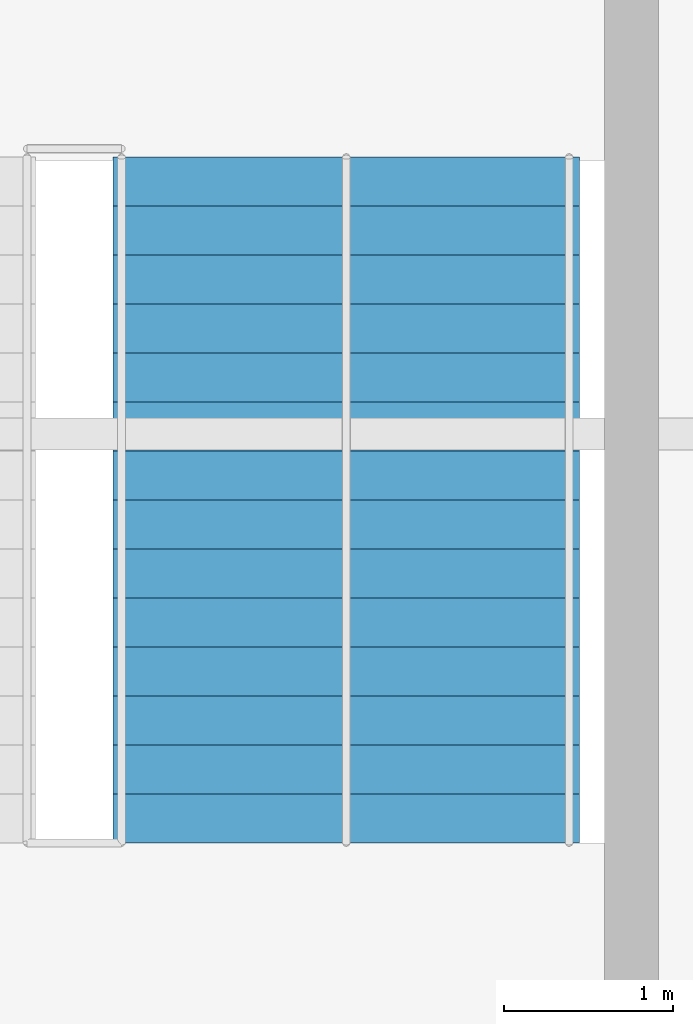
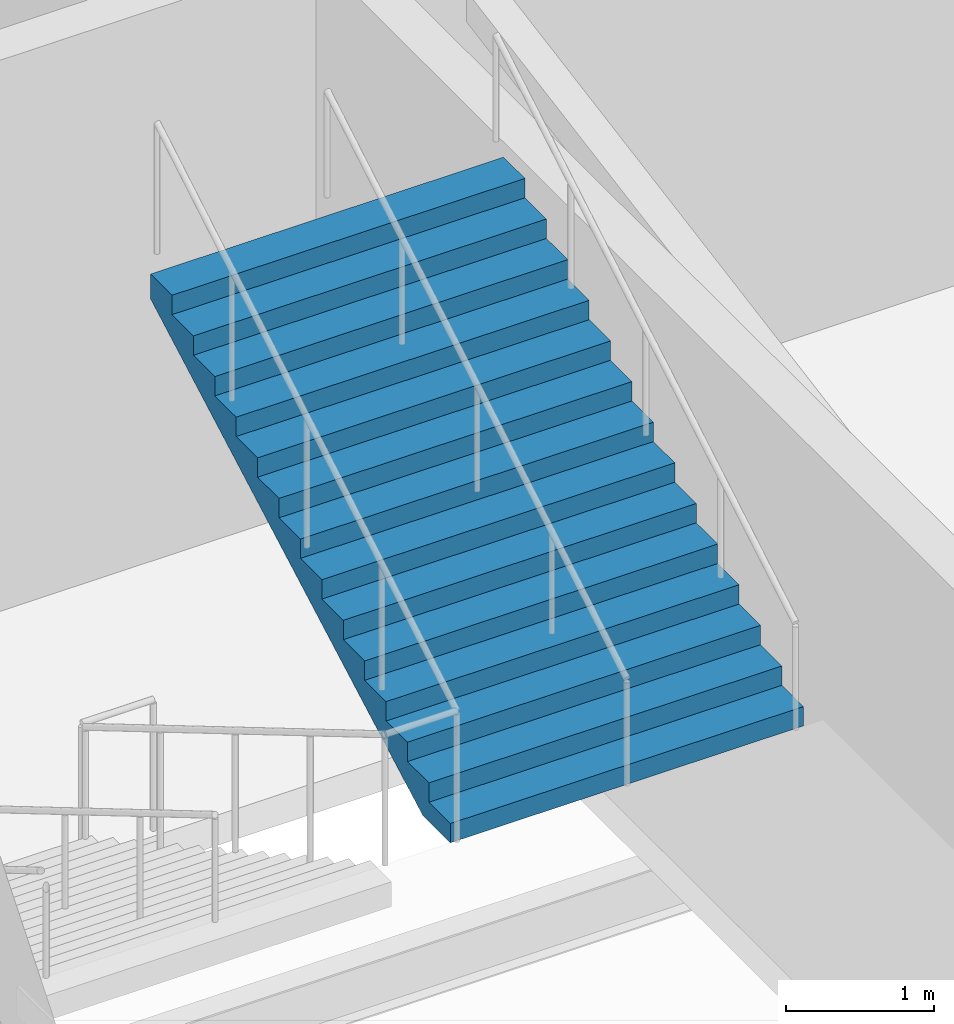
# One storey, part 125 of 136: 1 stair flight, 1 element without a shape of its own.
"""IFC4 building model written with IfcOpenShell, lengths in metres."""

from ifc_helpers import new_model, si_unit, direction, frame, origin, place, context, subcontext, project, spatial, polygons, material, type_object, element, aggregate, save


model = new_model("IFC4")

# Units and contexts
model_context = context("Model", 3, precision=1e-05, world=origin(), true_north=direction((0.0, 1.0)))
body_context = subcontext(model_context, "Body", "Model", "MODEL_VIEW")
ifc_project = project(units=[si_unit("LENGTHUNIT", "METRE"), si_unit("AREAUNIT", "SQUARE_METRE"), si_unit("VOLUMEUNIT", "CUBIC_METRE"), si_unit("PLANEANGLEUNIT", "RADIAN"), si_unit("MASSUNIT", "GRAM", prefix="KILO")], contexts=[model_context])

# Site, building, storey
site_placement = place(None, origin())
site = spatial("IfcSite", under=ifc_project, at=site_placement, CompositionType="ELEMENT")
building_placement = place(site_placement, origin())
building = spatial("IfcBuilding", under=site, at=building_placement, Name="Kisiwana Market Hall", CompositionType="ELEMENT")
storey_placement = place(building_placement, frame((0.0, 0.0, 16.800048828125)))
storey = spatial("IfcBuildingStorey", under=building, at=storey_placement, Name="L03", CompositionType="ELEMENT", Elevation=16.800048828125)

# Stair, stair flight
ifc_material_1 = material(Name="Concrete C32/40", Category="concrete")
stair_type = type_object("IfcStairType", Name="ST-ESC-4800", PredefinedType="TWO_STRAIGHT_RUN_STAIR", material=ifc_material_1)
stair_placement = place(storey_placement, origin())
stair = element("IfcStair", 1, at=stair_placement, inside=storey, type_object=stair_type, Name="Escape stair ST-E4-L03", PredefinedType="TWO_STRAIGHT_RUN_STAIR")
ifc_material_2 = material(Name="Concrete C32/40", Category="concrete")
stair_flight_type = type_object("IfcStairFlightType", Name="SF-ESC-4800", PredefinedType="STRAIGHT", material=ifc_material_2)
stair_flight_placement = place(storey_placement, frame((186.110107421875, 73.580078125, 2.39990234375), z_axis=(0.0, 0.0, 1.0), x_axis=(0.0, 1.0, 0.0)))
stair_flight = element("IfcStairFlight", 2, at=stair_flight_placement, type_object=stair_flight_type, Name="ST-E4-L03 flight 2", NumberOfRisers=15, NumberOfTreads=14, PredefinedType="STRAIGHT", RiserHeight=0.16, TreadLength=0.29, context=body_context, shape_type="Tessellation", body=[
    polygons([(0.0, -1.380127, 0.0), (0.0, -0.690125, 0.0), (0.0, -0.000122, 0.0), (0.0, 0.68988, 0.0), (0.0, 1.379883, 0.0), (0.0, -1.380127, 0.159912), (0.0, -0.690125, 0.159912), (0.0, -0.000122, 0.159912), (0.0, 0.68988, 0.159912), (0.0, 1.379883, 0.159912), (0.290039, -1.380127, 0.159912), (0.290039, -0.690125, 0.159912), (0.290039, -0.000122, 0.159912), (0.290039, 0.68988, 0.159912), (0.290039, 1.379883, 0.159912), (0.290039, -1.380127, 0.320068), (0.290039, -0.690125, 0.320068), (0.290039, -0.000122, 0.320068), (0.290039, 0.68988, 0.320068), (0.290039, 1.379883, 0.320068), (0.580078, -1.380127, 0.320068), (0.580078, -0.690125, 0.320068), (0.580078, -0.000122, 0.320068), (0.580078, 0.68988, 0.320068), (0.580078, 1.379883, 0.320068), (0.580078, -1.380127, 0.47998), (0.580078, -0.690125, 0.47998), (0.580078, -0.000122, 0.47998), (0.580078, 0.68988, 0.47998), (0.580078, 1.379883, 0.47998), (0.870117, -1.380127, 0.47998), (0.870117, -0.690125, 0.47998), (0.870117, -0.000122, 0.47998), (0.870117, 0.68988, 0.47998), (0.870117, 1.379883, 0.47998), (0.870117, -1.380127, 0.639893), (0.870117, -0.690125, 0.639893), (0.870117, -0.000122, 0.639893), (0.870117, 0.68988, 0.639893), (0.870117, 1.379883, 0.639893), (1.159912, -1.380127, 0.639893), (1.159912, -0.690125, 0.639893), (1.159912, -0.000122, 0.639893), (1.159912, 0.68988, 0.639893), (1.159912, 1.379883, 0.639893), (1.159912, -1.380127, 0.800049), (1.159912, -0.690125, 0.800049), (1.159912, -0.000122, 0.800049), (1.159912, 0.68988, 0.800049), (1.159912, 1.379883, 0.800049), (1.449951, -1.380127, 0.800049), (1.449951, -0.690125, 0.800049), (1.449951, -0.000122, 0.800049), (1.449951, 0.68988, 0.800049), (1.449951, 1.379883, 0.800049), (1.449951, -1.380127, 0.959961), (1.449951, -0.690125, 0.959961), (1.449951, -0.000122, 0.959961), (1.449951, 0.68988, 0.959961), (1.449951, 1.379883, 0.959961), (1.73999, -1.380127, 0.959961), (1.73999, -0.690125, 0.959961), (1.73999, -0.000122, 0.959961), (1.73999, 0.68988, 0.959961), (1.73999, 1.379883, 0.959961), (1.73999, -1.380127, 1.120117), (1.73999, -0.690125, 1.120117), (1.73999, -0.000122, 1.120117), (1.73999, 0.68988, 1.120117), (1.73999, 1.379883, 1.120117), (2.030029, -1.380127, 1.120117), (2.030029, -0.690125, 1.120117), (2.030029, -0.000122, 1.120117), (2.030029, 0.68988, 1.120117), (2.030029, 1.379883, 1.120117), (2.030029, -1.380127, 1.280029), (2.030029, -0.690125, 1.280029), (2.030029, -0.000122, 1.280029), (2.030029, 0.68988, 1.280029), (2.030029, 1.379883, 1.280029), (2.320068, -1.380127, 1.280029), (2.320068, -0.690125, 1.280029), (2.320068, -0.000122, 1.280029), (2.320068, 0.68988, 1.280029), (2.320068, 1.379883, 1.280029), (2.320068, -1.380127, 1.439941), (2.320068, -0.690125, 1.439941), (2.320068, -0.000122, 1.439941), (2.320068, 0.68988, 1.439941), (2.320068, 1.379883, 1.439941), (2.610107, -1.380127, 1.439941), (2.610107, -0.690125, 1.439941), (2.610107, -0.000122, 1.439941), (2.610107, 0.68988, 1.439941), (2.610107, 1.379883, 1.439941), (2.610107, -1.380127, 1.600098), (2.610107, -0.690125, 1.600098), (2.610107, -0.000122, 1.600098), (2.610107, 0.68988, 1.600098), (2.610107, 1.379883, 1.600098), (2.899902, -1.380127, 1.600098), (2.899902, -0.690125, 1.600098), (2.899902, -0.000122, 1.600098), (2.899902, 0.68988, 1.600098), (2.899902, 1.379883, 1.600098), (2.899902, -1.380127, 1.76001), (2.899902, -0.690125, 1.76001), (2.899902, -0.000122, 1.76001), (2.899902, 0.68988, 1.76001), (2.899902, 1.379883, 1.76001), (3.189941, -1.380127, 1.76001), (3.189941, -0.690125, 1.76001), (3.189941, -0.000122, 1.76001), (3.189941, 0.68988, 1.76001), (3.189941, 1.379883, 1.76001), (3.189941, -1.380127, 1.919922), (3.189941, -0.690125, 1.919922), (3.189941, -0.000122, 1.919922), (3.189941, 0.68988, 1.919922), (3.189941, 1.379883, 1.919922), (3.47998, -1.380127, 1.919922), (3.47998, -0.690125, 1.919922), (3.47998, -0.000122, 1.919922), (3.47998, 0.68988, 1.919922), (3.47998, 1.379883, 1.919922), (3.47998, -1.380127, 2.080078), (3.47998, -0.690125, 2.080078), (3.47998, -0.000122, 2.080078), (3.47998, 0.68988, 2.080078), (3.47998, 1.379883, 2.080078), (3.77002, -1.380127, 2.080078), (3.77002, -0.690125, 2.080078), (3.77002, -0.000122, 2.080078), (3.77002, 0.68988, 2.080078), (3.77002, 1.379883, 2.080078), (3.77002, -1.380127, 2.23999), (3.77002, -0.690125, 2.23999), (3.77002, -0.000122, 2.23999), (3.77002, 0.68988, 2.23999), (3.77002, 1.379883, 2.23999), (4.060059, -1.380127, 2.23999), (4.060059, -0.690125, 2.23999), (4.060059, -0.000122, 2.23999), (4.060059, 0.68988, 2.23999), (4.060059, 1.379883, 2.23999), (4.060059, -1.380127, 2.034424), (4.060059, -0.690125, 2.034424), (4.060059, -0.000122, 2.034424), (4.060059, 0.68988, 2.034424), (4.060059, 1.379883, 2.034424), (0.372559, -1.380127, 0.0), (0.372559, -0.690125, 0.0), (0.372559, -0.000122, 0.0), (0.372559, 0.68988, 0.0), (0.372559, 1.379883, 0.0)], [[[1, 6, 7, 2]], [[2, 7, 8, 3]], [[3, 8, 9, 4]], [[4, 9, 10, 5]], [[6, 11, 12, 7]], [[7, 12, 13, 8]], [[8, 13, 14, 9]], [[9, 14, 15, 10]], [[11, 16, 17, 12]], [[12, 17, 18, 13]], [[13, 18, 19, 14]], [[14, 19, 20, 15]], [[16, 21, 22, 17]], [[17, 22, 23, 18]], [[18, 23, 24, 19]], [[19, 24, 25, 20]], [[21, 26, 27, 22]], [[22, 27, 28, 23]], [[23, 28, 29, 24]], [[24, 29, 30, 25]], [[26, 31, 32, 27]], [[27, 32, 33, 28]], [[28, 33, 34, 29]], [[29, 34, 35, 30]], [[31, 36, 37, 32]], [[32, 37, 38, 33]], [[33, 38, 39, 34]], [[34, 39, 40, 35]], [[36, 41, 42, 37]], [[37, 42, 43, 38]], [[38, 43, 44, 39]], [[39, 44, 45, 40]], [[41, 46, 47, 42]], [[42, 47, 48, 43]], [[43, 48, 49, 44]], [[44, 49, 50, 45]], [[46, 51, 52, 47]], [[47, 52, 53, 48]], [[48, 53, 54, 49]], [[49, 54, 55, 50]], [[51, 56, 57, 52]], [[52, 57, 58, 53]], [[53, 58, 59, 54]], [[54, 59, 60, 55]], [[56, 61, 62, 57]], [[57, 62, 63, 58]], [[58, 63, 64, 59]], [[59, 64, 65, 60]], [[61, 66, 67, 62]], [[62, 67, 68, 63]], [[63, 68, 69, 64]], [[64, 69, 70, 65]], [[66, 71, 72, 67]], [[67, 72, 73, 68]], [[68, 73, 74, 69]], [[69, 74, 75, 70]], [[71, 76, 77, 72]], [[72, 77, 78, 73]], [[73, 78, 79, 74]], [[74, 79, 80, 75]], [[76, 81, 82, 77]], [[77, 82, 83, 78]], [[78, 83, 84, 79]], [[79, 84, 85, 80]], [[81, 86, 87, 82]], [[82, 87, 88, 83]], [[83, 88, 89, 84]], [[84, 89, 90, 85]], [[86, 91, 92, 87]], [[87, 92, 93, 88]], [[88, 93, 94, 89]], [[89, 94, 95, 90]], [[91, 96, 97, 92]], [[92, 97, 98, 93]], [[93, 98, 99, 94]], [[94, 99, 100, 95]], [[96, 101, 102, 97]], [[97, 102, 103, 98]], [[98, 103, 104, 99]], [[99, 104, 105, 100]], [[101, 106, 107, 102]], [[102, 107, 108, 103]], [[103, 108, 109, 104]], [[104, 109, 110, 105]], [[106, 111, 112, 107]], [[107, 112, 113, 108]], [[108, 113, 114, 109]], [[109, 114, 115, 110]], [[111, 116, 117, 112]], [[112, 117, 118, 113]], [[113, 118, 119, 114]], [[114, 119, 120, 115]], [[116, 121, 122, 117]], [[117, 122, 123, 118]], [[118, 123, 124, 119]], [[119, 124, 125, 120]], [[121, 126, 127, 122]], [[122, 127, 128, 123]], [[123, 128, 129, 124]], [[124, 129, 130, 125]], [[126, 131, 132, 127]], [[127, 132, 133, 128]], [[128, 133, 134, 129]], [[129, 134, 135, 130]], [[131, 136, 137, 132]], [[132, 137, 138, 133]], [[133, 138, 139, 134]], [[134, 139, 140, 135]], [[136, 141, 142, 137]], [[137, 142, 143, 138]], [[138, 143, 144, 139]], [[139, 144, 145, 140]], [[141, 146, 147, 142]], [[142, 147, 148, 143]], [[143, 148, 149, 144]], [[144, 149, 150, 145]], [[146, 151, 152, 147]], [[147, 152, 153, 148]], [[148, 153, 154, 149]], [[149, 154, 155, 150]], [[151, 1, 2, 152]], [[152, 2, 3, 153]], [[153, 3, 4, 154]], [[154, 4, 5, 155]], [[151, 146, 141, 136, 131, 126, 121, 116, 111, 106, 101, 96, 91, 86, 81, 76, 71, 66, 61, 56, 51, 46, 41, 36, 31, 26, 21, 16, 11, 6, 1]], [[5, 10, 15, 20, 25, 30, 35, 40, 45, 50, 55, 60, 65, 70, 75, 80, 85, 90, 95, 100, 105, 110, 115, 120, 125, 130, 135, 140, 145, 150, 155]]], closed=True),
])
aggregate(stair, [stair_flight])

save(model, "model.ifc")
